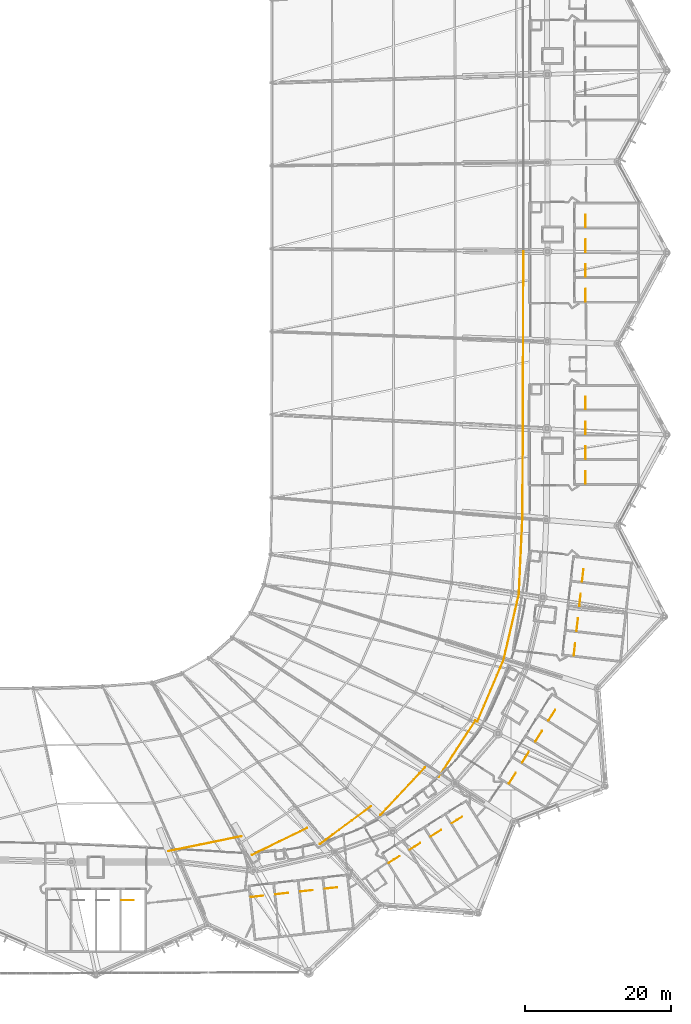
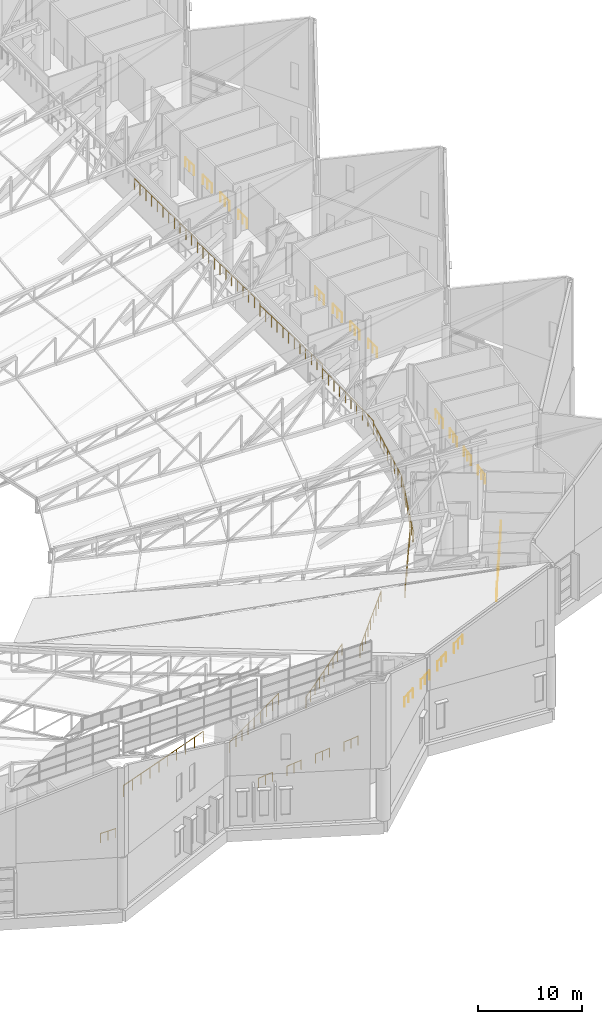
# One storey, part 341 of 344: 36 railings.
"""IFC4 building model written with IfcOpenShell, lengths in metres."""

from ifc_helpers import new_model, si_unit, direction, frame, origin, origin_2d, place, context, subcontext, project, spatial, circle, extrude, material, type_object, element, save


model = new_model("IFC4")

# Units and contexts
model_context = context("Model", 3, precision=1e-05, world=origin(), true_north=direction((0.0, 1.0)))
body_context = subcontext(model_context, "Body", "Model", "MODEL_VIEW")
ifc_project = project(units=[si_unit("LENGTHUNIT", "METRE"), si_unit("AREAUNIT", "SQUARE_METRE"), si_unit("VOLUMEUNIT", "CUBIC_METRE"), si_unit("PLANEANGLEUNIT", "RADIAN"), si_unit("MASSUNIT", "GRAM", prefix="KILO")], contexts=[model_context])

# Site, building, storey
site_placement = place(None, origin())
site = spatial("IfcSite", under=ifc_project, at=site_placement, CompositionType="ELEMENT")
building_placement = place(site_placement, origin())
building = spatial("IfcBuilding", under=site, at=building_placement, Name="Meseta Stadium", CompositionType="ELEMENT")
storey_placement = place(building_placement, frame((0.0, 0.0, 24.0)))
storey = spatial("IfcBuildingStorey", under=building, at=storey_placement, Name="L04", CompositionType="ELEMENT", Elevation=24.0)

# Railings
ifc_material_1 = material(Name="Steel S355", Category="steel")
railing_type_1 = type_object("IfcRailingType", Name="Stair guard 1100", PredefinedType="GUARDRAIL", material=ifc_material_1)
railing_1_placement = place(storey_placement, frame((88.62548828125, -61.545166015625, 0.0)))
element("IfcRailing", 1, at=railing_1_placement, inside=storey, type_object=railing_type_1, Name="ST1 L04 well guard 1", PredefinedType="GUARDRAIL", context=body_context, shape_type="SweptSolid", body=[
    extrude(circle(Radius=0.02392578125, at=origin_2d()), frame((0.0, 0.0, 1.076171875), z_axis=(0.111865676231, 0.993723336991, 0.0), x_axis=(-0.993723336991, 0.111865676231, 0.0)), (0.0, 0.0, 1.0), 1.7001953125),
    extrude(circle(Radius=0.02099609375, at=origin_2d()), origin(), (0.0, 0.0, 1.0), 1.052001953125),
    extrude(circle(Radius=0.02099609375, at=origin_2d()), frame((0.09521484375, 0.8447265625, 0.0)), (0.0, 0.0, 1.0), 1.052001953125),
    extrude(circle(Radius=0.02099609375, at=origin_2d()), frame((0.190185546875, 1.689453125, 0.0)), (0.0, 0.0, 1.0), 1.052001953125),
])
railing_2_placement = place(storey_placement, frame((89.006103515625, -58.16650390625, 0.0)))
element("IfcRailing", 2, at=railing_2_placement, inside=storey, type_object=railing_type_1, Name="ST2 L04 well guard 1", PredefinedType="GUARDRAIL", context=body_context, shape_type="SweptSolid", body=[
    extrude(circle(Radius=0.02392578125, at=origin_2d()), frame((0.0, 0.0, 1.076171875), z_axis=(0.11188164176, 0.993721539586, 0.0), x_axis=(-0.993721539586, 0.11188164176, 0.0)), (0.0, 0.0, 1.0), 1.699951171875),
    extrude(circle(Radius=0.02099609375, at=origin_2d()), origin(), (0.0, 0.0, 1.0), 1.052001953125),
    extrude(circle(Radius=0.02099609375, at=origin_2d()), frame((0.09521484375, 0.8447265625, 0.0)), (0.0, 0.0, 1.0), 1.052001953125),
    extrude(circle(Radius=0.02099609375, at=origin_2d()), frame((0.190185546875, 1.689208984375, 0.0)), (0.0, 0.0, 1.0), 1.052001953125),
])
for number, where, name in (
    (3, (89.38671875, -54.787841796875, 0.0), "ST3 L04 well guard 1"),
    (4, (89.767333984375, -51.4091796875, 0.0), "ST4 L04 well guard 1"),
):
    element("IfcRailing", number, at=place(storey_placement, frame(where)), inside=storey, type_object=railing_type_1, Name=name, PredefinedType="GUARDRAIL", context=body_context, shape_type="SweptSolid", body=[
        extrude(circle(Radius=0.02392578125, at=origin_2d()), frame((0.0, 0.0, 1.076171875), z_axis=(0.112023462683, 0.993705561929, 0.0), x_axis=(-0.993705561929, 0.112023462683, 0.0)), (0.0, 0.0, 1.0), 1.699951171875),
        extrude(circle(Radius=0.02099609375, at=origin_2d()), origin(), (0.0, 0.0, 1.0), 1.052001953125),
        extrude(circle(Radius=0.02099609375, at=origin_2d()), frame((0.09521484375, 0.8447265625, 0.0)), (0.0, 0.0, 1.0), 1.052001953125),
        extrude(circle(Radius=0.02099609375, at=origin_2d()), frame((0.1904296875, 1.689208984375, 0.0)), (0.0, 0.0, 1.0), 1.052001953125),
    ])
for number, where, name in (
    (5, (90.25, -37.949951171875, 0.0), "ST5 L04 well guard 1"),
    (6, (90.25, -34.550048828125, 0.0), "ST6 L04 well guard 1"),
    (7, (90.25, -31.14990234375, 0.0), "ST7 L04 well guard 1"),
    (8, (90.25, -27.75, 0.0), "ST8 L04 well guard 1"),
    (9, (90.25, -12.949951171875, 0.0), "ST9 L04 well guard 1"),
    (10, (90.25, -9.550048828125, 0.0), "ST10 L04 well guard 1"),
    (11, (90.25, -6.14990234375, 0.0), "ST11 L04 well guard 1"),
    (12, (90.25, -2.75, 0.0), "ST12 L04 well guard 1"),
):
    element("IfcRailing", number, at=place(storey_placement, frame(where)), inside=storey, type_object=railing_type_1, Name=name, PredefinedType="GUARDRAIL", context=body_context, shape_type="SweptSolid", body=[
        extrude(circle(Radius=0.02392578125, at=origin_2d()), frame((0.0, 0.0, 1.076171875), z_axis=(0.0, 1.0, 0.0), x_axis=(-1.0, 0.0, 0.0)), (0.0, 0.0, 1.0), 1.699951171875),
        extrude(circle(Radius=0.02099609375, at=origin_2d()), origin(), (0.0, 0.0, 1.0), 1.052001953125),
        extrude(circle(Radius=0.02099609375, at=origin_2d()), frame((0.0, 0.85009765625, 0.0)), (0.0, 0.0, 1.0), 1.052001953125),
        extrude(circle(Radius=0.02099609375, at=origin_2d()), frame((0.0, 1.699951171875, 0.0)), (0.0, 0.0, 1.0), 1.052001953125),
    ])
railing_3_placement = place(storey_placement, frame((26.5, -95.14990234375, 0.0)))
element("IfcRailing", 13, at=railing_3_placement, inside=storey, type_object=railing_type_1, Name="ST100 L04 well guard 1", PredefinedType="GUARDRAIL", context=body_context, shape_type="SweptSolid", body=[
    extrude(circle(Radius=0.02392578125, at=origin_2d()), frame((0.0, 0.0, 1.076171875), z_axis=(1.0, 0.0, 0.0), x_axis=(0.0, 1.0, 0.0)), (0.0, 0.0, 1.0), 1.699951171875),
    extrude(circle(Radius=0.02099609375, at=origin_2d()), origin(), (0.0, 0.0, 1.0), 1.052001953125),
    extrude(circle(Radius=0.02099609375, at=origin_2d()), frame((0.85009765625, 0.0, 0.0)), (0.0, 0.0, 1.0), 1.052001953125),
    extrude(circle(Radius=0.02099609375, at=origin_2d()), frame((1.699951171875, 0.0, 0.0)), (0.0, 0.0, 1.0), 1.052001953125),
])
for number, where, name in (
    (14, (44.296630859375, -94.721923828125, 0.0), "ST101 L04 well guard 1"),
    (15, (47.67529296875, -94.34130859375, 0.0), "ST102 L04 well guard 1"),
):
    element("IfcRailing", number, at=place(storey_placement, frame(where)), inside=storey, type_object=railing_type_1, Name=name, PredefinedType="GUARDRAIL", context=body_context, shape_type="SweptSolid", body=[
        extrude(circle(Radius=0.02392578125, at=origin_2d()), frame((0.0, 0.0, 1.076171875), z_axis=(0.993705561929, 0.112023462683, 0.0), x_axis=(-0.112023462683, 0.993705561929, 0.0)), (0.0, 0.0, 1.0), 1.699951171875),
        extrude(circle(Radius=0.02099609375, at=origin_2d()), origin(), (0.0, 0.0, 1.0), 1.052001953125),
        extrude(circle(Radius=0.02099609375, at=origin_2d()), frame((0.8447265625, 0.09521484375, 0.0)), (0.0, 0.0, 1.0), 1.052001953125),
        extrude(circle(Radius=0.02099609375, at=origin_2d()), frame((1.689208984375, 0.1904296875, 0.0)), (0.0, 0.0, 1.0), 1.052001953125),
    ])
for number, where, name in (
    (16, (51.0537109375, -93.96044921875, 0.0), "ST103 L04 well guard 1"),
    (17, (54.432373046875, -93.579833984375, 0.0), "ST104 L04 well guard 1"),
):
    element("IfcRailing", number, at=place(storey_placement, frame(where)), inside=storey, type_object=railing_type_1, Name=name, PredefinedType="GUARDRAIL", context=body_context, shape_type="SweptSolid", body=[
        extrude(circle(Radius=0.02392578125, at=origin_2d()), frame((0.0, 0.0, 1.076171875), z_axis=(0.993723336991, 0.111865676231, 0.0), x_axis=(-0.111865676231, 0.993723336991, 0.0)), (0.0, 0.0, 1.0), 1.7001953125),
        extrude(circle(Radius=0.02099609375, at=origin_2d()), origin(), (0.0, 0.0, 1.0), 1.052001953125),
        extrude(circle(Radius=0.02099609375, at=origin_2d()), frame((0.8447265625, 0.09521484375, 0.0)), (0.0, 0.0, 1.0), 1.052001953125),
        extrude(circle(Radius=0.02099609375, at=origin_2d()), frame((1.689453125, 0.190185546875, 0.0)), (0.0, 0.0, 1.0), 1.052001953125),
    ])
for number, where, name in (
    (18, (63.23095703125, -90.01611328125, 0.0), "ST105 L04 well guard 1"),
    (19, (66.10986328125, -88.207275390625, 0.0), "ST106 L04 well guard 1"),
):
    element("IfcRailing", number, at=place(storey_placement, frame(where)), inside=storey, type_object=railing_type_1, Name=name, PredefinedType="GUARDRAIL", context=body_context, shape_type="SweptSolid", body=[
        extrude(circle(Radius=0.02392578125, at=origin_2d()), frame((0.0, 0.0, 1.076171875), z_axis=(0.846704942353, 0.532062722425, 0.0), x_axis=(-0.532062722425, 0.846704942353, 0.0)), (0.0, 0.0, 1.0), 1.699951171875),
        extrude(circle(Radius=0.02099609375, at=origin_2d()), origin(), (0.0, 0.0, 1.0), 1.052001953125),
        extrude(circle(Radius=0.02099609375, at=origin_2d()), frame((0.7197265625, 0.4521484375, 0.0)), (0.0, 0.0, 1.0), 1.052001953125),
        extrude(circle(Radius=0.02099609375, at=origin_2d()), frame((1.439453125, 0.904541015625, 0.0)), (0.0, 0.0, 1.0), 1.052001953125),
    ])
railing_4_placement = place(storey_placement, frame((68.98876953125, -86.398193359375, 0.0)))
element("IfcRailing", 20, at=railing_4_placement, inside=storey, type_object=railing_type_1, Name="ST107 L04 well guard 1", PredefinedType="GUARDRAIL", context=body_context, shape_type="SweptSolid", body=[
    extrude(circle(Radius=0.02392578125, at=origin_2d()), frame((0.0, 0.0, 1.076171875), z_axis=(0.846728987356, 0.532024456178, 0.0), x_axis=(-0.532024456178, 0.846728987356, 0.0)), (0.0, 0.0, 1.0), 1.69970703125),
    extrude(circle(Radius=0.02099609375, at=origin_2d()), origin(), (0.0, 0.0, 1.0), 1.052001953125),
    extrude(circle(Radius=0.02099609375, at=origin_2d()), frame((0.7197265625, 0.4521484375, 0.0)), (0.0, 0.0, 1.0), 1.052001953125),
    extrude(circle(Radius=0.02099609375, at=origin_2d()), frame((1.439208984375, 0.904296875, 0.0)), (0.0, 0.0, 1.0), 1.052001953125),
])
railing_5_placement = place(storey_placement, frame((71.867431640625, -84.58935546875, 0.0)))
element("IfcRailing", 21, at=railing_5_placement, inside=storey, type_object=railing_type_1, Name="ST108 L04 well guard 1", PredefinedType="GUARDRAIL", context=body_context, shape_type="SweptSolid", body=[
    extrude(circle(Radius=0.02392578125, at=origin_2d()), frame((0.0, 0.0, 1.076171875), z_axis=(0.846704942353, 0.532062722425, 0.0), x_axis=(-0.532062722425, 0.846704942353, 0.0)), (0.0, 0.0, 1.0), 1.699951171875),
    extrude(circle(Radius=0.02099609375, at=origin_2d()), origin(), (0.0, 0.0, 1.0), 1.052001953125),
    extrude(circle(Radius=0.02099609375, at=origin_2d()), frame((0.7197265625, 0.4521484375, 0.0)), (0.0, 0.0, 1.0), 1.052001953125),
    extrude(circle(Radius=0.02099609375, at=origin_2d()), frame((1.439453125, 0.904541015625, 0.0)), (0.0, 0.0, 1.0), 1.052001953125),
])
railing_6_placement = place(storey_placement, frame((79.733642578125, -79.109130859375, 0.0)))
element("IfcRailing", 22, at=railing_6_placement, inside=storey, type_object=railing_type_1, Name="ST109 L04 well guard 1", PredefinedType="GUARDRAIL", context=body_context, shape_type="SweptSolid", body=[
    extrude(circle(Radius=0.02392578125, at=origin_2d()), frame((0.0, 0.0, 1.076171875), z_axis=(0.531959757672, 0.846769635862, 0.0), x_axis=(-0.846769635862, 0.531959757672, 0.0)), (0.0, 0.0, 1.0), 1.699951171875),
    extrude(circle(Radius=0.02099609375, at=origin_2d()), origin(), (0.0, 0.0, 1.0), 1.052001953125),
    extrude(circle(Radius=0.02099609375, at=origin_2d()), frame((0.4521484375, 0.7197265625, 0.0)), (0.0, 0.0, 1.0), 1.052001953125),
    extrude(circle(Radius=0.02099609375, at=origin_2d()), frame((0.904296875, 1.439453125, 0.0)), (0.0, 0.0, 1.0), 1.052001953125),
])
for number, where, name in (
    (23, (81.54248046875, -76.230224609375, 0.0), "ST110 L04 well guard 1"),
    (24, (83.351318359375, -73.351318359375, 0.0), "ST111 L04 well guard 1"),
):
    element("IfcRailing", number, at=place(storey_placement, frame(where)), inside=storey, type_object=railing_type_1, Name=name, PredefinedType="GUARDRAIL", context=body_context, shape_type="SweptSolid", body=[
        extrude(circle(Radius=0.02392578125, at=origin_2d()), frame((0.0, 0.0, 1.076171875), z_axis=(0.532062722425, 0.846704942353, 0.0), x_axis=(-0.846704942353, 0.532062722425, 0.0)), (0.0, 0.0, 1.0), 1.699951171875),
        extrude(circle(Radius=0.02099609375, at=origin_2d()), origin(), (0.0, 0.0, 1.0), 1.052001953125),
        extrude(circle(Radius=0.02099609375, at=origin_2d()), frame((0.4521484375, 0.7197265625, 0.0)), (0.0, 0.0, 1.0), 1.052001953125),
        extrude(circle(Radius=0.02099609375, at=origin_2d()), frame((0.904541015625, 1.439453125, 0.0)), (0.0, 0.0, 1.0), 1.052001953125),
    ])
railing_7_placement = place(storey_placement, frame((85.160400390625, -70.472412109375, 0.0)))
element("IfcRailing", 25, at=railing_7_placement, inside=storey, type_object=railing_type_1, Name="ST112 L04 well guard 1", PredefinedType="GUARDRAIL", context=body_context, shape_type="SweptSolid", body=[
    extrude(circle(Radius=0.02392578125, at=origin_2d()), frame((0.0, 0.0, 1.076171875), z_axis=(0.531959757672, 0.846769635862, 0.0), x_axis=(-0.846769635862, 0.531959757672, 0.0)), (0.0, 0.0, 1.0), 1.699951171875),
    extrude(circle(Radius=0.02099609375, at=origin_2d()), origin(), (0.0, 0.0, 1.0), 1.052001953125),
    extrude(circle(Radius=0.02099609375, at=origin_2d()), frame((0.4521484375, 0.7197265625, 0.0)), (0.0, 0.0, 1.0), 1.052001953125),
    extrude(circle(Radius=0.02099609375, at=origin_2d()), frame((0.904296875, 1.439453125, 0.0)), (0.0, 0.0, 1.0), 1.052001953125),
])
ifc_material_2 = material(Name="Steel S355", Category="steel")
railing_type_2 = type_object("IfcRailingType", Name="Stand rear guard 1300", PredefinedType="GUARDRAIL", material=ifc_material_2)
railing_8_placement = place(storey_placement, frame((81.087890625, -53.15087890625, 3.66357421875)))
element("IfcRailing", 26, at=railing_8_placement, inside=storey, type_object=railing_type_2, Name="Stand upper tier rear guard bay 01", PredefinedType="GUARDRAIL", context=body_context, shape_type="SweptSolid", body=[
    extrude(circle(Radius=0.02490234375, at=origin_2d()), frame((0.0, 0.0, 1.27490234375), z_axis=(0.046116354066, 0.997923166182, -0.044973728841), x_axis=(-0.99893391753, 0.04616306324, 0.0)), (0.0, 0.0, 1.0), 10.683349609375),
    extrude(circle(Radius=0.02001953125, at=origin_2d()), origin(), (0.0, 0.0, 1.0), 1.25),
    extrude(circle(Radius=0.02001953125, at=origin_2d()), frame((0.0546875, 1.1845703125, -0.053466796875)), (0.0, 0.0, 1.0), 1.25),
    extrude(circle(Radius=0.02001953125, at=origin_2d()), frame((0.109375, 2.369140625, -0.106689453125)), (0.0, 0.0, 1.0), 1.25),
    extrude(circle(Radius=0.02001953125, at=origin_2d()), frame((0.164306640625, 3.5537109375, -0.16015625)), (0.0, 0.0, 1.0), 1.25),
    extrude(circle(Radius=0.02001953125, at=origin_2d()), frame((0.218994140625, 4.73828125, -0.213623046875)), (0.0, 0.0, 1.0), 1.25),
    extrude(circle(Radius=0.02001953125, at=origin_2d()), frame((0.273681640625, 5.9228515625, -0.266845703125)), (0.0, 0.0, 1.0), 1.25),
    extrude(circle(Radius=0.02001953125, at=origin_2d()), frame((0.328369140625, 7.107421875, -0.3203125)), (0.0, 0.0, 1.0), 1.25),
    extrude(circle(Radius=0.02001953125, at=origin_2d()), frame((0.38330078125, 8.2919921875, -0.373779296875)), (0.0, 0.0, 1.0), 1.25),
    extrude(circle(Radius=0.02001953125, at=origin_2d()), frame((0.43798828125, 9.4765625, -0.427001953125)), (0.0, 0.0, 1.0), 1.25),
    extrude(circle(Radius=0.02001953125, at=origin_2d()), frame((0.49267578125, 10.6611328125, -0.48046875)), (0.0, 0.0, 1.0), 1.25),
])
railing_9_placement = place(storey_placement, frame((81.58056640625, -42.48974609375, 3.667236328125)))
element("IfcRailing", 27, at=railing_9_placement, inside=storey, type_object=railing_type_2, Name="Stand upper tier rear guard bay 02", PredefinedType="GUARDRAIL", context=body_context, shape_type="SweptSolid", body=[
    extrude(circle(Radius=0.02490234375, at=origin_2d()), frame((0.0, 0.0, 1.27490234375), z_axis=(0.004804166005, 0.99926652903, -0.037991103554), x_axis=(-0.999988443248, 0.004807636746, 0.0)), (0.0, 0.0, 1.0), 12.1455078125),
    extrude(circle(Radius=0.02001953125, at=origin_2d()), origin(), (0.0, 0.0, 1.0), 1.25),
    extrude(circle(Radius=0.02001953125, at=origin_2d()), frame((0.00537109375, 1.103271484375, -0.0419921875)), (0.0, 0.0, 1.0), 1.25),
    extrude(circle(Radius=0.02001953125, at=origin_2d()), frame((0.010498046875, 2.206787109375, -0.083984375)), (0.0, 0.0, 1.0), 1.25),
    extrude(circle(Radius=0.02001953125, at=origin_2d()), frame((0.015869140625, 3.31005859375, -0.125732421875)), (0.0, 0.0, 1.0), 1.25),
    extrude(circle(Radius=0.02001953125, at=origin_2d()), frame((0.021240234375, 4.413330078125, -0.167724609375)), (0.0, 0.0, 1.0), 1.25),
    extrude(circle(Radius=0.02001953125, at=origin_2d()), frame((0.026611328125, 5.5166015625, -0.209716796875)), (0.0, 0.0, 1.0), 1.25),
    extrude(circle(Radius=0.02001953125, at=origin_2d()), frame((0.03173828125, 6.6201171875, -0.251708984375)), (0.0, 0.0, 1.0), 1.25),
    extrude(circle(Radius=0.02001953125, at=origin_2d()), frame((0.037109375, 7.723388671875, -0.293701171875)), (0.0, 0.0, 1.0), 1.25),
    extrude(circle(Radius=0.02001953125, at=origin_2d()), frame((0.04248046875, 8.82666015625, -0.335693359375)), (0.0, 0.0, 1.0), 1.25),
    extrude(circle(Radius=0.02001953125, at=origin_2d()), frame((0.0478515625, 9.929931640625, -0.37744140625)), (0.0, 0.0, 1.0), 1.25),
    extrude(circle(Radius=0.02001953125, at=origin_2d()), frame((0.052978515625, 11.033447265625, -0.41943359375)), (0.0, 0.0, 1.0), 1.25),
    extrude(circle(Radius=0.02001953125, at=origin_2d()), frame((0.058349609375, 12.13671875, -0.46142578125)), (0.0, 0.0, 1.0), 1.25),
])
railing_10_placement = place(storey_placement, frame((81.638916015625, -30.35302734375, 3.590576171875)))
element("IfcRailing", 28, at=railing_10_placement, inside=storey, type_object=railing_type_2, Name="Stand upper tier rear guard bay 03", PredefinedType="GUARDRAIL", context=body_context, shape_type="SweptSolid", body=[
    extrude(circle(Radius=0.02490234375, at=origin_2d()), frame((0.0, 0.0, 1.27490234375), z_axis=(0.003216644897, 0.999672922015, -0.025371286628), x_axis=(-0.999994823252, 0.003217680678, 0.0)), (0.0, 0.0, 1.0), 12.143798828125),
    extrude(circle(Radius=0.02001953125, at=origin_2d()), origin(), (0.0, 0.0, 1.0), 1.25),
    extrude(circle(Radius=0.02001953125, at=origin_2d()), frame((0.003662109375, 1.103515625, -0.028076171875)), (0.0, 0.0, 1.0), 1.25),
    extrude(circle(Radius=0.02001953125, at=origin_2d()), frame((0.007080078125, 2.207275390625, -0.055908203125)), (0.0, 0.0, 1.0), 1.25),
    extrude(circle(Radius=0.02001953125, at=origin_2d()), frame((0.0107421875, 3.310791015625, -0.083984375)), (0.0, 0.0, 1.0), 1.25),
    extrude(circle(Radius=0.02001953125, at=origin_2d()), frame((0.01416015625, 4.41455078125, -0.112060546875)), (0.0, 0.0, 1.0), 1.25),
    extrude(circle(Radius=0.02001953125, at=origin_2d()), frame((0.017822265625, 5.51806640625, -0.14013671875)), (0.0, 0.0, 1.0), 1.25),
    extrude(circle(Radius=0.02001953125, at=origin_2d()), frame((0.021240234375, 6.621826171875, -0.16796875)), (0.0, 0.0, 1.0), 1.25),
    extrude(circle(Radius=0.02001953125, at=origin_2d()), frame((0.02490234375, 7.725341796875, -0.196044921875)), (0.0, 0.0, 1.0), 1.25),
    extrude(circle(Radius=0.02001953125, at=origin_2d()), frame((0.0283203125, 8.8291015625, -0.22412109375)), (0.0, 0.0, 1.0), 1.25),
    extrude(circle(Radius=0.02001953125, at=origin_2d()), frame((0.031982421875, 9.9326171875, -0.252197265625)), (0.0, 0.0, 1.0), 1.25),
    extrude(circle(Radius=0.02001953125, at=origin_2d()), frame((0.035400390625, 11.036376953125, -0.280029296875)), (0.0, 0.0, 1.0), 1.25),
    extrude(circle(Radius=0.02001953125, at=origin_2d()), frame((0.0390625, 12.139892578125, -0.30810546875)), (0.0, 0.0, 1.0), 1.25),
])
railing_11_placement = place(storey_placement, frame((81.677978515625, -18.213134765625, 3.513671875)))
element("IfcRailing", 29, at=railing_11_placement, inside=storey, type_object=railing_type_2, Name="Stand upper tier rear guard bay 04", PredefinedType="GUARDRAIL", context=body_context, shape_type="SweptSolid", body=[
    extrude(circle(Radius=0.02490234375, at=origin_2d()), frame((0.0, 0.0, 1.27490234375), z_axis=(0.00160845792, 0.999917971461, -0.012706817565), x_axis=(-0.999998706222, 0.001608587789, 0.0)), (0.0, 0.0, 1.0), 12.142822265625),
    extrude(circle(Radius=0.02001953125, at=origin_2d()), origin(), (0.0, 0.0, 1.0), 1.25),
    extrude(circle(Radius=0.02001953125, at=origin_2d()), frame((0.001708984375, 1.103759765625, -0.013916015625)), (0.0, 0.0, 1.0), 1.25),
    extrude(circle(Radius=0.02001953125, at=origin_2d()), frame((0.003662109375, 2.20751953125, -0.028076171875)), (0.0, 0.0, 1.0), 1.25),
    extrude(circle(Radius=0.02001953125, at=origin_2d()), frame((0.00537109375, 3.3115234375, -0.0419921875)), (0.0, 0.0, 1.0), 1.25),
    extrude(circle(Radius=0.02001953125, at=origin_2d()), frame((0.007080078125, 4.415283203125, -0.05615234375)), (0.0, 0.0, 1.0), 1.25),
    extrude(circle(Radius=0.02001953125, at=origin_2d()), frame((0.0087890625, 5.51904296875, -0.070068359375)), (0.0, 0.0, 1.0), 1.25),
    extrude(circle(Radius=0.02001953125, at=origin_2d()), frame((0.0107421875, 6.622802734375, -0.084228515625)), (0.0, 0.0, 1.0), 1.25),
    extrude(circle(Radius=0.02001953125, at=origin_2d()), frame((0.012451171875, 7.7265625, -0.09814453125)), (0.0, 0.0, 1.0), 1.25),
    extrude(circle(Radius=0.02001953125, at=origin_2d()), frame((0.01416015625, 8.830322265625, -0.1123046875)), (0.0, 0.0, 1.0), 1.25),
    extrude(circle(Radius=0.02001953125, at=origin_2d()), frame((0.015869140625, 9.934326171875, -0.126220703125)), (0.0, 0.0, 1.0), 1.25),
    extrude(circle(Radius=0.02001953125, at=origin_2d()), frame((0.017822265625, 11.0380859375, -0.140380859375)), (0.0, 0.0, 1.0), 1.25),
    extrude(circle(Radius=0.02001953125, at=origin_2d()), frame((0.01953125, 12.141845703125, -0.154296875)), (0.0, 0.0, 1.0), 1.25),
])
railing_12_placement = place(storey_placement, frame((32.94384765625, -88.418701171875, -0.89697265625)))
element("IfcRailing", 30, at=railing_12_placement, inside=storey, type_object=railing_type_2, Name="Stand upper tier rear guard bay 50", PredefinedType="GUARDRAIL", context=body_context, shape_type="SweptSolid", body=[
    extrude(circle(Radius=0.02490234375, at=origin_2d()), frame((0.0, 0.0, 1.27490234375), z_axis=(0.968175794174, 0.197036068261, 0.154312732398), x_axis=(-0.199424767209, 0.979913140142, 0.0)), (0.0, 0.0, 1.0), 10.365966796875),
    extrude(circle(Radius=0.02001953125, at=origin_2d()), origin(), (0.0, 0.0, 1.0), 1.25),
    extrude(circle(Radius=0.02001953125, at=origin_2d()), frame((1.115234375, 0.22705078125, 0.177734375)), (0.0, 0.0, 1.0), 1.25),
    extrude(circle(Radius=0.02001953125, at=origin_2d()), frame((2.230224609375, 0.453857421875, 0.35546875)), (0.0, 0.0, 1.0), 1.25),
    extrude(circle(Radius=0.02001953125, at=origin_2d()), frame((3.345458984375, 0.680908203125, 0.533203125)), (0.0, 0.0, 1.0), 1.25),
    extrude(circle(Radius=0.02001953125, at=origin_2d()), frame((4.46044921875, 0.90771484375, 0.7109375)), (0.0, 0.0, 1.0), 1.25),
    extrude(circle(Radius=0.02001953125, at=origin_2d()), frame((5.57568359375, 1.134765625, 0.888671875)), (0.0, 0.0, 1.0), 1.25),
    extrude(circle(Radius=0.02001953125, at=origin_2d()), frame((6.690673828125, 1.361572265625, 1.06640625)), (0.0, 0.0, 1.0), 1.25),
    extrude(circle(Radius=0.02001953125, at=origin_2d()), frame((7.805908203125, 1.588623046875, 1.244140625)), (0.0, 0.0, 1.0), 1.25),
    extrude(circle(Radius=0.02001953125, at=origin_2d()), frame((8.9208984375, 1.8154296875, 1.421875)), (0.0, 0.0, 1.0), 1.25),
    extrude(circle(Radius=0.02001953125, at=origin_2d()), frame((10.0361328125, 2.04248046875, 1.599609375)), (0.0, 0.0, 1.0), 1.25),
])
railing_13_placement = place(storey_placement, frame((44.454345703125, -88.926513671875, 0.5029296875)))
element("IfcRailing", 31, at=railing_13_placement, inside=storey, type_object=railing_type_2, Name="Stand upper tier rear guard bay 51", PredefinedType="GUARDRAIL", context=body_context, shape_type="SweptSolid", body=[
    extrude(circle(Radius=0.02490234375, at=origin_2d()), frame((0.0, 0.0, 1.27490234375), z_axis=(0.894887665062, 0.436479057377, 0.093070400184), x_axis=(-0.438381840399, 0.898788830598, 0.0)), (0.0, 0.0, 1.0), 8.438720703125),
    extrude(circle(Radius=0.02001953125, at=origin_2d()), origin(), (0.0, 0.0, 1.0), 1.25),
    extrude(circle(Radius=0.02001953125, at=origin_2d()), frame((0.94384765625, 0.46044921875, 0.09814453125)), (0.0, 0.0, 1.0), 1.25),
    extrude(circle(Radius=0.02001953125, at=origin_2d()), frame((1.887939453125, 0.9208984375, 0.1962890625)), (0.0, 0.0, 1.0), 1.25),
    extrude(circle(Radius=0.02001953125, at=origin_2d()), frame((2.83203125, 1.38134765625, 0.29443359375)), (0.0, 0.0, 1.0), 1.25),
    extrude(circle(Radius=0.02001953125, at=origin_2d()), frame((3.77587890625, 1.841796875, 0.392578125)), (0.0, 0.0, 1.0), 1.25),
    extrude(circle(Radius=0.02001953125, at=origin_2d()), frame((4.7197265625, 2.302001953125, 0.490966796875)), (0.0, 0.0, 1.0), 1.25),
    extrude(circle(Radius=0.02001953125, at=origin_2d()), frame((5.663818359375, 2.762451171875, 0.589111328125)), (0.0, 0.0, 1.0), 1.25),
    extrude(circle(Radius=0.02001953125, at=origin_2d()), frame((6.60791015625, 3.222900390625, 0.687255859375)), (0.0, 0.0, 1.0), 1.25),
    extrude(circle(Radius=0.02001953125, at=origin_2d()), frame((7.5517578125, 3.683349609375, 0.785400390625)), (0.0, 0.0, 1.0), 1.25),
])
railing_14_placement = place(storey_placement, frame((53.779052734375, -87.440185546875, 1.57470703125)))
element("IfcRailing", 32, at=railing_14_placement, inside=storey, type_object=railing_type_2, Name="Stand upper tier rear guard bay 52", PredefinedType="GUARDRAIL", context=body_context, shape_type="SweptSolid", body=[
    extrude(circle(Radius=0.02490234375, at=origin_2d()), frame((0.0, 0.0, 1.27490234375), z_axis=(0.800962740226, 0.594214075961, 0.07326882488), x_axis=(-0.595815492402, 0.803121347626, 0.0)), (0.0, 0.0, 1.0), 8.750244140625),
    extrude(circle(Radius=0.02001953125, at=origin_2d()), origin(), (0.0, 0.0, 1.0), 1.25),
    extrude(circle(Radius=0.02001953125, at=origin_2d()), frame((0.8759765625, 0.64990234375, 0.080078125)), (0.0, 0.0, 1.0), 1.25),
    extrude(circle(Radius=0.02001953125, at=origin_2d()), frame((1.752197265625, 1.2998046875, 0.16015625)), (0.0, 0.0, 1.0), 1.25),
    extrude(circle(Radius=0.02001953125, at=origin_2d()), frame((2.628173828125, 1.94970703125, 0.240478515625)), (0.0, 0.0, 1.0), 1.25),
    extrude(circle(Radius=0.02001953125, at=origin_2d()), frame((3.50439453125, 2.599609375, 0.320556640625)), (0.0, 0.0, 1.0), 1.25),
    extrude(circle(Radius=0.02001953125, at=origin_2d()), frame((4.38037109375, 3.249755859375, 0.400634765625)), (0.0, 0.0, 1.0), 1.25),
    extrude(circle(Radius=0.02001953125, at=origin_2d()), frame((5.25634765625, 3.899658203125, 0.48095703125)), (0.0, 0.0, 1.0), 1.25),
    extrude(circle(Radius=0.02001953125, at=origin_2d()), frame((6.132568359375, 4.549560546875, 0.56103515625)), (0.0, 0.0, 1.0), 1.25),
    extrude(circle(Radius=0.02001953125, at=origin_2d()), frame((7.008544921875, 5.199462890625, 0.64111328125)), (0.0, 0.0, 1.0), 1.25),
])
railing_15_placement = place(storey_placement, frame((62.0908203125, -83.43359375, 2.152587890625)))
element("IfcRailing", 33, at=railing_15_placement, inside=storey, type_object=railing_type_2, Name="Stand upper tier rear guard bay 53", PredefinedType="GUARDRAIL", context=body_context, shape_type="SweptSolid", body=[
    extrude(circle(Radius=0.02490234375, at=origin_2d()), frame((0.0, 0.0, 1.27490234375), z_axis=(0.683205851583, 0.728197123106, 0.054394064599), x_axis=(-0.729276783109, 0.684218805368, 0.0)), (0.0, 0.0, 1.0), 8.931884765625),
    extrude(circle(Radius=0.02001953125, at=origin_2d()), origin(), (0.0, 0.0, 1.0), 1.25),
    extrude(circle(Radius=0.02001953125, at=origin_2d()), frame((0.7626953125, 0.81298828125, 0.060791015625)), (0.0, 0.0, 1.0), 1.25),
    extrude(circle(Radius=0.02001953125, at=origin_2d()), frame((1.525634765625, 1.6259765625, 0.12158203125)), (0.0, 0.0, 1.0), 1.25),
    extrude(circle(Radius=0.02001953125, at=origin_2d()), frame((2.288330078125, 2.43896484375, 0.18212890625)), (0.0, 0.0, 1.0), 1.25),
    extrude(circle(Radius=0.02001953125, at=origin_2d()), frame((3.05126953125, 3.251953125, 0.242919921875)), (0.0, 0.0, 1.0), 1.25),
    extrude(circle(Radius=0.02001953125, at=origin_2d()), frame((3.81396484375, 4.065185546875, 0.3037109375)), (0.0, 0.0, 1.0), 1.25),
    extrude(circle(Radius=0.02001953125, at=origin_2d()), frame((4.57666015625, 4.878173828125, 0.3642578125)), (0.0, 0.0, 1.0), 1.25),
    extrude(circle(Radius=0.02001953125, at=origin_2d()), frame((5.339599609375, 5.691162109375, 0.425048828125)), (0.0, 0.0, 1.0), 1.25),
    extrude(circle(Radius=0.02001953125, at=origin_2d()), frame((6.102294921875, 6.504150390625, 0.48583984375)), (0.0, 0.0, 1.0), 1.25),
])
railing_16_placement = place(storey_placement, frame((70.093994140625, -78.212890625, 3.232666015625)))
element("IfcRailing", 34, at=railing_16_placement, inside=storey, type_object=railing_type_2, Name="Stand upper tier rear guard bay 54", PredefinedType="GUARDRAIL", context=body_context, shape_type="SweptSolid", body=[
    extrude(circle(Radius=0.02490234375, at=origin_2d()), frame((0.0, 0.0, 1.27490234375), z_axis=(0.544637168371, 0.83794002174, 0.035026772552), x_axis=(-0.838454518953, 0.544971576917, 0.0)), (0.0, 0.0, 1.0), 9.214599609375),
    extrude(circle(Radius=0.02001953125, at=origin_2d()), origin(), (0.0, 0.0, 1.0), 1.25),
    extrude(circle(Radius=0.02001953125, at=origin_2d()), frame((0.62744140625, 0.965087890625, 0.040283203125)), (0.0, 0.0, 1.0), 1.25),
    extrude(circle(Radius=0.02001953125, at=origin_2d()), frame((1.254638671875, 1.93017578125, 0.08056640625)), (0.0, 0.0, 1.0), 1.25),
    extrude(circle(Radius=0.02001953125, at=origin_2d()), frame((1.8818359375, 2.8955078125, 0.12109375)), (0.0, 0.0, 1.0), 1.25),
    extrude(circle(Radius=0.02001953125, at=origin_2d()), frame((2.50927734375, 3.860595703125, 0.161376953125)), (0.0, 0.0, 1.0), 1.25),
    extrude(circle(Radius=0.02001953125, at=origin_2d()), frame((3.13671875, 4.82568359375, 0.20166015625)), (0.0, 0.0, 1.0), 1.25),
    extrude(circle(Radius=0.02001953125, at=origin_2d()), frame((3.763916015625, 5.791015625, 0.2421875)), (0.0, 0.0, 1.0), 1.25),
    extrude(circle(Radius=0.02001953125, at=origin_2d()), frame((4.39111328125, 6.756103515625, 0.282470703125)), (0.0, 0.0, 1.0), 1.25),
    extrude(circle(Radius=0.02001953125, at=origin_2d()), frame((5.0185546875, 7.72119140625, 0.32275390625)), (0.0, 0.0, 1.0), 1.25),
])
railing_17_placement = place(storey_placement, frame((75.379638671875, -70.6201171875, 3.3173828125)))
element("IfcRailing", 35, at=railing_17_placement, inside=storey, type_object=railing_type_2, Name="Stand upper tier rear guard bay 55", PredefinedType="GUARDRAIL", context=body_context, shape_type="SweptSolid", body=[
    extrude(circle(Radius=0.02490234375, at=origin_2d()), frame((0.0, 0.0, 1.27490234375), z_axis=(0.391678969122, 0.919949530111, 0.016746557748), x_axis=(-0.920078555883, 0.391733903312, 0.0)), (0.0, 0.0, 1.0), 9.228271484375),
    extrude(circle(Radius=0.02001953125, at=origin_2d()), origin(), (0.0, 0.0, 1.0), 1.25),
    extrude(circle(Radius=0.02001953125, at=origin_2d()), frame((0.451904296875, 1.061279296875, 0.019287109375)), (0.0, 0.0, 1.0), 1.25),
    extrude(circle(Radius=0.02001953125, at=origin_2d()), frame((0.903564453125, 2.122314453125, 0.03857421875)), (0.0, 0.0, 1.0), 1.25),
    extrude(circle(Radius=0.02001953125, at=origin_2d()), frame((1.35546875, 3.18359375, 0.057861328125)), (0.0, 0.0, 1.0), 1.25),
    extrude(circle(Radius=0.02001953125, at=origin_2d()), frame((1.80712890625, 4.24462890625, 0.0771484375)), (0.0, 0.0, 1.0), 1.25),
    extrude(circle(Radius=0.02001953125, at=origin_2d()), frame((2.259033203125, 5.305908203125, 0.0966796875)), (0.0, 0.0, 1.0), 1.25),
    extrude(circle(Radius=0.02001953125, at=origin_2d()), frame((2.7109375, 6.3671875, 0.115966796875)), (0.0, 0.0, 1.0), 1.25),
    extrude(circle(Radius=0.02001953125, at=origin_2d()), frame((3.16259765625, 7.42822265625, 0.13525390625)), (0.0, 0.0, 1.0), 1.25),
    extrude(circle(Radius=0.02001953125, at=origin_2d()), frame((3.614501953125, 8.489501953125, 0.154541015625)), (0.0, 0.0, 1.0), 1.25),
])
railing_18_placement = place(storey_placement, frame((78.994140625, -62.130615234375, 3.402587890625)))
element("IfcRailing", 36, at=railing_18_placement, inside=storey, type_object=railing_type_2, Name="Stand upper tier rear guard bay 56", PredefinedType="GUARDRAIL", context=body_context, shape_type="SweptSolid", body=[
    extrude(circle(Radius=0.02490234375, at=origin_2d()), frame((0.0, 0.0, 1.27490234375), z_axis=(0.227072763865, 0.973876320861, -0.001694572865), x_axis=(-0.973877719144, 0.227073089894, 0.0)), (0.0, 0.0, 1.0), 9.220703125),
    extrude(circle(Radius=0.02001953125, at=origin_2d()), origin(), (0.0, 0.0, 1.0), 1.25),
    extrude(circle(Radius=0.02001953125, at=origin_2d()), frame((0.26171875, 1.12255859375, -0.001953125)), (0.0, 0.0, 1.0), 1.25),
    extrude(circle(Radius=0.02001953125, at=origin_2d()), frame((0.5234375, 2.244873046875, -0.00390625)), (0.0, 0.0, 1.0), 1.25),
    extrude(circle(Radius=0.02001953125, at=origin_2d()), frame((0.78515625, 3.367431640625, -0.005859375)), (0.0, 0.0, 1.0), 1.25),
    extrude(circle(Radius=0.02001953125, at=origin_2d()), frame((1.046875, 4.48974609375, -0.0078125)), (0.0, 0.0, 1.0), 1.25),
    extrude(circle(Radius=0.02001953125, at=origin_2d()), frame((1.30859375, 5.6123046875, -0.009765625)), (0.0, 0.0, 1.0), 1.25),
    extrude(circle(Radius=0.02001953125, at=origin_2d()), frame((1.5703125, 6.73486328125, -0.01171875)), (0.0, 0.0, 1.0), 1.25),
    extrude(circle(Radius=0.02001953125, at=origin_2d()), frame((1.83203125, 7.857177734375, -0.013671875)), (0.0, 0.0, 1.0), 1.25),
    extrude(circle(Radius=0.02001953125, at=origin_2d()), frame((2.09375, 8.979736328125, -0.015625)), (0.0, 0.0, 1.0), 1.25),
])

save(model, "model.ifc")
